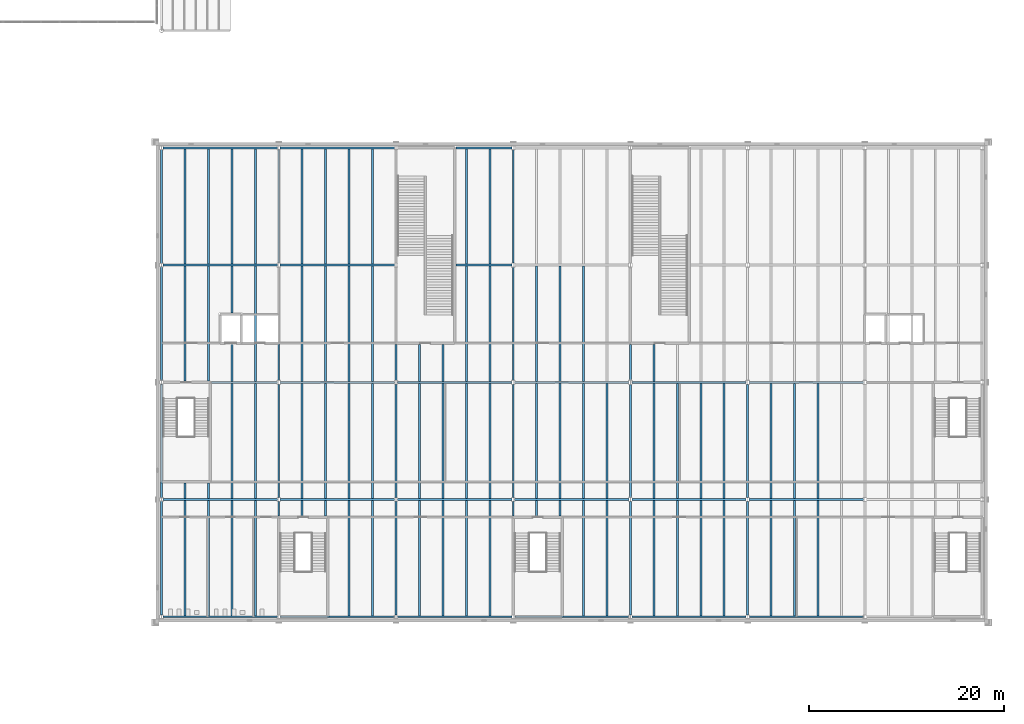
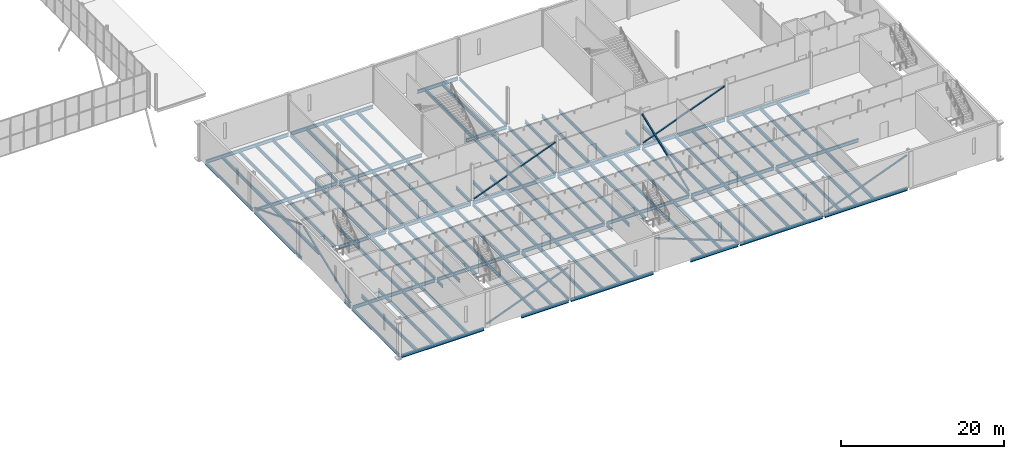
# One storey, part 49 of 170: 117 beams, 8 members.
"""IFC4 building model written with IfcOpenShell, lengths in metres."""

from ifc_helpers import new_model, si_unit, direction, frame, origin, origin_2d, place, context, subcontext, project, spatial, hollow_rectangle, i_section, extrude, material, material_profile, profile_set, type_object, element, save


model = new_model("IFC4")

# Units and contexts
model_context = context("Model", 3, precision=1e-05, world=origin(), true_north=direction((0.0, 1.0)))
body_context = subcontext(model_context, "Body", "Model", "MODEL_VIEW")
ifc_project = project(units=[si_unit("LENGTHUNIT", "METRE"), si_unit("AREAUNIT", "SQUARE_METRE"), si_unit("VOLUMEUNIT", "CUBIC_METRE"), si_unit("PLANEANGLEUNIT", "RADIAN"), si_unit("MASSUNIT", "GRAM", prefix="KILO")], contexts=[model_context])

# Site, building, storey
site_placement = place(None, origin())
site = spatial("IfcSite", under=ifc_project, at=site_placement, CompositionType="ELEMENT")
building_placement = place(site_placement, origin())
building = spatial("IfcBuilding", under=site, at=building_placement, Name="Ravi Spectrum Wholesale Market", CompositionType="ELEMENT")
storey_placement = place(building_placement, frame((0.0, 0.0, 5.39990234375)))
storey = spatial("IfcBuildingStorey", under=building, at=storey_placement, Name="L01", CompositionType="ELEMENT", Elevation=5.39990234375)

# Beams
ifc_material_1 = material(Name="Steel S355", Category="steel")
ifc_material_profile_1 = material_profile(ifc_material_1, i_section(OverallWidth=0.18994140625, OverallDepth=0.449951171875, WebThickness=0.009521484375, FlangeThickness=0.0146484375, at=origin_2d()))
ifc_profile_set_1 = profile_set([ifc_material_profile_1], Name="Steel S355")
beam_type_1 = type_object("IfcBeamType", Name="IPE 450 girder", PredefinedType="BEAM", material=ifc_profile_set_1)
beam_1_placement = place(storey_placement, frame((198.0, 18.169921875, -0.474853515625), z_axis=(0.0, 1.0, 0.0), x_axis=(-1.0, 0.0, 0.0)))
element("IfcBeam", 1, at=beam_1_placement, inside=storey, type_object=beam_type_1, Name="CS-BM-L01-036", PredefinedType="BEAM", context=body_context, shape_type="SweptSolid", body=[
    extrude(i_section(OverallWidth=0.18994140625, OverallDepth=0.449951171875, WebThickness=0.009521484375, FlangeThickness=0.0146484375, at=origin_2d()), origin(), (0.0, 0.0, 1.0), 11.66015625),
])
beam_2_placement = place(storey_placement, frame((198.0, 30.169921875, -0.474853515625), z_axis=(0.0, 1.0, 0.0), x_axis=(-1.0, 0.0, 0.0)))
element("IfcBeam", 2, at=beam_2_placement, inside=storey, type_object=beam_type_1, Name="CS-BM-L01-037", PredefinedType="BEAM", context=body_context, shape_type="SweptSolid", body=[
    extrude(i_section(OverallWidth=0.18994140625, OverallDepth=0.449951171875, WebThickness=0.009521484375, FlangeThickness=0.0146484375, at=origin_2d()), origin(), (0.0, 0.0, 1.0), 1.505126953125),
])
for number, where, z_axis, x_axis, name in (
    (3, (198.0, 42.169921875, -0.474853515625), (0.0, 1.0, 0.0), (-1.0, 0.0, 0.0), "CS-BM-L01-038"),
    (4, (198.0, 54.169921875, -0.474853515625), (0.0, 1.0, 0.0), (-1.0, 0.0, 0.0), "CS-BM-L01-039"),
):
    element("IfcBeam", number, at=place(storey_placement, frame(where, z_axis=z_axis, x_axis=x_axis)), inside=storey, type_object=beam_type_1, Name=name, PredefinedType="BEAM", context=body_context, shape_type="SweptSolid", body=[
        extrude(i_section(OverallWidth=0.18994140625, OverallDepth=0.449951171875, WebThickness=0.009521484375, FlangeThickness=0.0146484375, at=origin_2d()), origin(), (0.0, 0.0, 1.0), 11.66015625),
    ])
beam_3_placement = place(storey_placement, frame((210.0, 28.324951171875, -0.474853515625), z_axis=(0.0, 1.0, 0.0), x_axis=(-1.0, 0.0, 0.0)))
element("IfcBeam", 5, at=beam_3_placement, inside=storey, type_object=beam_type_1, Name="CS-BM-L01-040", PredefinedType="BEAM", context=body_context, shape_type="SweptSolid", body=[
    extrude(i_section(OverallWidth=0.18994140625, OverallDepth=0.449951171875, WebThickness=0.009521484375, FlangeThickness=0.0146484375, at=origin_2d()), origin(), (0.0, 0.0, 1.0), 1.47509765625),
])
for number, where, z_axis, x_axis, name in (
    (6, (210.0, 30.199951171875, -0.474853515625), (0.0, 1.0, 0.0), (-1.0, 0.0, 0.0), "CS-BM-L01-041"),
    (7, (210.0, 42.199951171875, -0.474853515625), (0.0, 1.0, 0.0), (-1.0, 0.0, 0.0), "CS-BM-L01-042"),
):
    element("IfcBeam", number, at=place(storey_placement, frame(where, z_axis=z_axis, x_axis=x_axis)), inside=storey, type_object=beam_type_1, Name=name, PredefinedType="BEAM", context=body_context, shape_type="SweptSolid", body=[
        extrude(i_section(OverallWidth=0.18994140625, OverallDepth=0.449951171875, WebThickness=0.009521484375, FlangeThickness=0.0146484375, at=origin_2d()), origin(), (0.0, 0.0, 1.0), 11.60009765625),
    ])
for number, where, z_axis, x_axis, name in (
    (8, (210.0, 54.199951171875, -0.474853515625), (0.0, 1.0, 0.0), (-1.0, 0.0, 0.0), "CS-BM-L01-044"),
    (9, (222.0, 18.169921875, -0.474853515625), (0.0, 1.0, 0.0), (-1.0, 0.0, 0.0), "CS-BM-L01-045"),
):
    element("IfcBeam", number, at=place(storey_placement, frame(where, z_axis=z_axis, x_axis=x_axis)), inside=storey, type_object=beam_type_1, Name=name, PredefinedType="BEAM", context=body_context, shape_type="SweptSolid", body=[
        extrude(i_section(OverallWidth=0.18994140625, OverallDepth=0.449951171875, WebThickness=0.009521484375, FlangeThickness=0.0146484375, at=origin_2d()), origin(), (0.0, 0.0, 1.0), 11.630126953125),
    ])
beam_4_placement = place(storey_placement, frame((222.0, 30.199951171875, -0.474853515625), z_axis=(0.0, 1.0, 0.0), x_axis=(-1.0, 0.0, 0.0)))
element("IfcBeam", 10, at=beam_4_placement, inside=storey, type_object=beam_type_1, Name="CS-BM-L01-046", PredefinedType="BEAM", context=body_context, shape_type="SweptSolid", body=[
    extrude(i_section(OverallWidth=0.18994140625, OverallDepth=0.449951171875, WebThickness=0.009521484375, FlangeThickness=0.0146484375, at=origin_2d()), origin(), (0.0, 0.0, 1.0), 11.60009765625),
])
beam_5_placement = place(storey_placement, frame((222.0, 42.199951171875, -0.474853515625), z_axis=(0.0, 1.0, 0.0), x_axis=(-1.0, 0.0, 0.0)))
element("IfcBeam", 11, at=beam_5_placement, inside=storey, type_object=beam_type_1, Name="CS-BM-L01-047", PredefinedType="BEAM", context=body_context, shape_type="SweptSolid", body=[
    extrude(i_section(OverallWidth=0.18994140625, OverallDepth=0.449951171875, WebThickness=0.009521484375, FlangeThickness=0.0146484375, at=origin_2d()), origin(), (0.0, 0.0, 1.0), 3.675048828125),
])
beam_6_placement = place(storey_placement, frame((234.0, 28.324951171875, -0.474853515625), z_axis=(0.0, 1.0, 0.0), x_axis=(-1.0, 0.0, 0.0)))
element("IfcBeam", 12, at=beam_6_placement, inside=storey, type_object=beam_type_1, Name="CS-BM-L01-048", PredefinedType="BEAM", context=body_context, shape_type="SweptSolid", body=[
    extrude(i_section(OverallWidth=0.18994140625, OverallDepth=0.449951171875, WebThickness=0.009521484375, FlangeThickness=0.0146484375, at=origin_2d()), origin(), (0.0, 0.0, 1.0), 1.47509765625),
])
for number, where, z_axis, x_axis, name in (
    (13, (234.0, 30.199951171875, -0.474853515625), (0.0, 1.0, 0.0), (-1.0, 0.0, 0.0), "CS-BM-L01-049"),
    (14, (234.0, 42.199951171875, -0.474853515625), (0.0, 1.0, 0.0), (-1.0, 0.0, 0.0), "CS-BM-L01-050"),
):
    element("IfcBeam", number, at=place(storey_placement, frame(where, z_axis=z_axis, x_axis=x_axis)), inside=storey, type_object=beam_type_1, Name=name, PredefinedType="BEAM", context=body_context, shape_type="SweptSolid", body=[
        extrude(i_section(OverallWidth=0.18994140625, OverallDepth=0.449951171875, WebThickness=0.009521484375, FlangeThickness=0.0146484375, at=origin_2d()), origin(), (0.0, 0.0, 1.0), 11.60009765625),
    ])
for number, where, z_axis, x_axis, name in (
    (15, (234.0, 54.199951171875, -0.474853515625), (0.0, 1.0, 0.0), (-1.0, 0.0, 0.0), "CS-BM-L01-051"),
    (16, (246.0, 18.169921875, -0.474853515625), (0.0, 1.0, 0.0), (-1.0, 0.0, 0.0), "CS-BM-L01-052"),
):
    element("IfcBeam", number, at=place(storey_placement, frame(where, z_axis=z_axis, x_axis=x_axis)), inside=storey, type_object=beam_type_1, Name=name, PredefinedType="BEAM", context=body_context, shape_type="SweptSolid", body=[
        extrude(i_section(OverallWidth=0.18994140625, OverallDepth=0.449951171875, WebThickness=0.009521484375, FlangeThickness=0.0146484375, at=origin_2d()), origin(), (0.0, 0.0, 1.0), 11.630126953125),
    ])
beam_7_placement = place(storey_placement, frame((246.0, 30.199951171875, -0.474853515625), z_axis=(0.0, 1.0, 0.0), x_axis=(-1.0, 0.0, 0.0)))
element("IfcBeam", 17, at=beam_7_placement, inside=storey, type_object=beam_type_1, Name="CS-BM-L01-053", PredefinedType="BEAM", context=body_context, shape_type="SweptSolid", body=[
    extrude(i_section(OverallWidth=0.18994140625, OverallDepth=0.449951171875, WebThickness=0.009521484375, FlangeThickness=0.0146484375, at=origin_2d()), origin(), (0.0, 0.0, 1.0), 11.60009765625),
])
beam_8_placement = place(storey_placement, frame((246.0, 42.199951171875, -0.474853515625), z_axis=(0.0, 1.0, 0.0), x_axis=(-1.0, 0.0, 0.0)))
element("IfcBeam", 18, at=beam_8_placement, inside=storey, type_object=beam_type_1, Name="CS-BM-L01-054", PredefinedType="BEAM", context=body_context, shape_type="SweptSolid", body=[
    extrude(i_section(OverallWidth=0.18994140625, OverallDepth=0.449951171875, WebThickness=0.009521484375, FlangeThickness=0.0146484375, at=origin_2d()), origin(), (0.0, 0.0, 1.0), 3.675048828125),
])
beam_9_placement = place(storey_placement, frame((258.0, 18.169921875, -0.474853515625), z_axis=(0.0, 1.0, 0.0), x_axis=(-1.0, 0.0, 0.0)))
element("IfcBeam", 19, at=beam_9_placement, inside=storey, type_object=beam_type_1, Name="CS-BM-L01-055", PredefinedType="BEAM", context=body_context, shape_type="SweptSolid", body=[
    extrude(i_section(OverallWidth=0.18994140625, OverallDepth=0.449951171875, WebThickness=0.009521484375, FlangeThickness=0.0146484375, at=origin_2d()), origin(), (0.0, 0.0, 1.0), 11.630126953125),
])
beam_10_placement = place(storey_placement, frame((258.0, 30.199951171875, -0.474853515625), z_axis=(0.0, 1.0, 0.0), x_axis=(-1.0, 0.0, 0.0)))
element("IfcBeam", 20, at=beam_10_placement, inside=storey, type_object=beam_type_1, Name="CS-BM-L01-056", PredefinedType="BEAM", context=body_context, shape_type="SweptSolid", body=[
    extrude(i_section(OverallWidth=0.18994140625, OverallDepth=0.449951171875, WebThickness=0.009521484375, FlangeThickness=0.0146484375, at=origin_2d()), origin(), (0.0, 0.0, 1.0), 11.60009765625),
])
ifc_material_2 = material(Name="Steel S355", Category="steel")
ifc_material_profile_2 = material_profile(ifc_material_2, i_section(OverallWidth=0.199951171875, OverallDepth=0.5, WebThickness=0.01025390625, FlangeThickness=0.01611328125, at=origin_2d()))
ifc_profile_set_2 = profile_set([ifc_material_profile_2], Name="Steel S355")
beam_type_2 = type_object("IfcBeamType", Name="IPE 500 beam", PredefinedType="BEAM", material=ifc_profile_set_2)
beam_11_placement = place(storey_placement, frame((198.14990234375, 18.0, -0.5), z_axis=(1.0, 0.0, 0.0), x_axis=(0.0, 1.0, 0.0)))
element("IfcBeam", 21, at=beam_11_placement, inside=storey, type_object=beam_type_2, Name="CS-BM-L01-001", PredefinedType="BEAM", context=body_context, shape_type="SweptSolid", body=[
    extrude(i_section(OverallWidth=0.199951171875, OverallDepth=0.5, WebThickness=0.01025390625, FlangeThickness=0.01611328125, at=origin_2d()), origin(), (0.0, 0.0, 1.0), 11.7001953125),
])
beam_12_placement = place(storey_placement, frame((215.125, 18.0, -0.5), z_axis=(1.0, 0.0, 0.0), x_axis=(0.0, 1.0, 0.0)))
element("IfcBeam", 22, at=beam_12_placement, inside=storey, type_object=beam_type_2, Name="CS-BM-L01-002", PredefinedType="BEAM", context=body_context, shape_type="SweptSolid", body=[
    extrude(i_section(OverallWidth=0.199951171875, OverallDepth=0.5, WebThickness=0.01025390625, FlangeThickness=0.01611328125, at=origin_2d()), origin(), (0.0, 0.0, 1.0), 6.72509765625),
])
beam_13_placement = place(storey_placement, frame((222.14990234375, 18.0, -0.5), z_axis=(1.0, 0.0, 0.0), x_axis=(0.0, 1.0, 0.0)))
element("IfcBeam", 23, at=beam_13_placement, inside=storey, type_object=beam_type_2, Name="CS-BM-L01-003", PredefinedType="BEAM", context=body_context, shape_type="SweptSolid", body=[
    extrude(i_section(OverallWidth=0.199951171875, OverallDepth=0.5, WebThickness=0.01025390625, FlangeThickness=0.01611328125, at=origin_2d()), origin(), (0.0, 0.0, 1.0), 11.7001953125),
])
beam_14_placement = place(storey_placement, frame((239.125, 18.0, -0.5), z_axis=(1.0, 0.0, 0.0), x_axis=(0.0, 1.0, 0.0)))
element("IfcBeam", 24, at=beam_14_placement, inside=storey, type_object=beam_type_2, Name="CS-BM-L01-004", PredefinedType="BEAM", context=body_context, shape_type="SweptSolid", body=[
    extrude(i_section(OverallWidth=0.199951171875, OverallDepth=0.5, WebThickness=0.01025390625, FlangeThickness=0.01611328125, at=origin_2d()), origin(), (0.0, 0.0, 1.0), 6.72509765625),
])
for number, where, z_axis, x_axis, name in (
    (25, (246.14990234375, 18.0, -0.5), (1.0, 0.0, 0.0), (0.0, 1.0, 0.0), "CS-BM-L01-005"),
    (26, (258.14990234375, 18.0, -0.5), (1.0, 0.0, 0.0), (0.0, 1.0, 0.0), "CS-BM-L01-006"),
    (27, (198.14990234375, 30.0, -0.5), (1.0, 0.0, 0.0), (0.0, 1.0, 0.0), "CS-BM-L01-008"),
    (28, (210.14990234375, 30.0, -0.5), (1.0, 0.0, 0.0), (0.0, 1.0, 0.0), "CS-BM-L01-009"),
    (29, (222.14990234375, 30.0, -0.5), (1.0, 0.0, 0.0), (0.0, 1.0, 0.0), "CS-BM-L01-010"),
    (30, (234.14990234375, 30.0, -0.5), (1.0, 0.0, 0.0), (0.0, 1.0, 0.0), "CS-BM-L01-011"),
    (31, (246.14990234375, 30.0, -0.5), (1.0, 0.0, 0.0), (0.0, 1.0, 0.0), "CS-BM-L01-012"),
    (32, (258.14990234375, 30.0, -0.5), (1.0, 0.0, 0.0), (0.0, 1.0, 0.0), "CS-BM-L01-013"),
):
    element("IfcBeam", number, at=place(storey_placement, frame(where, z_axis=z_axis, x_axis=x_axis)), inside=storey, type_object=beam_type_2, Name=name, PredefinedType="BEAM", context=body_context, shape_type="SweptSolid", body=[
        extrude(i_section(OverallWidth=0.199951171875, OverallDepth=0.5, WebThickness=0.01025390625, FlangeThickness=0.01611328125, at=origin_2d()), origin(), (0.0, 0.0, 1.0), 11.7001953125),
    ])
beam_15_placement = place(storey_placement, frame((203.125, 42.0, -0.5), z_axis=(1.0, 0.0, 0.0), x_axis=(0.0, 1.0, 0.0)))
element("IfcBeam", 33, at=beam_15_placement, inside=storey, type_object=beam_type_2, Name="CS-BM-L01-015", PredefinedType="BEAM", context=body_context, shape_type="SweptSolid", body=[
    extrude(i_section(OverallWidth=0.199951171875, OverallDepth=0.5, WebThickness=0.01025390625, FlangeThickness=0.01611328125, at=origin_2d()), origin(), (0.0, 0.0, 1.0), 6.72509765625),
])
for number, where, z_axis, x_axis, name in (
    (34, (210.14990234375, 42.0, -0.5), (1.0, 0.0, 0.0), (0.0, 1.0, 0.0), "CS-BM-L01-016"),
    (35, (222.14990234375, 42.0, -0.5), (1.0, 0.0, 0.0), (0.0, 1.0, 0.0), "CS-BM-L01-017"),
    (36, (234.14990234375, 42.0, -0.5), (1.0, 0.0, 0.0), (0.0, 1.0, 0.0), "CS-BM-L01-018"),
    (37, (246.14990234375, 42.0, -0.5), (1.0, 0.0, 0.0), (0.0, 1.0, 0.0), "CS-BM-L01-019"),
    (38, (258.14990234375, 42.0, -0.5), (1.0, 0.0, 0.0), (0.0, 1.0, 0.0), "CS-BM-L01-020"),
    (39, (198.14990234375, 54.0, -0.5), (1.0, 0.0, 0.0), (0.0, 1.0, 0.0), "CS-BM-L01-022"),
    (40, (210.14990234375, 54.0, -0.5), (1.0, 0.0, 0.0), (0.0, 1.0, 0.0), "CS-BM-L01-023"),
):
    element("IfcBeam", number, at=place(storey_placement, frame(where, z_axis=z_axis, x_axis=x_axis)), inside=storey, type_object=beam_type_2, Name=name, PredefinedType="BEAM", context=body_context, shape_type="SweptSolid", body=[
        extrude(i_section(OverallWidth=0.199951171875, OverallDepth=0.5, WebThickness=0.01025390625, FlangeThickness=0.01611328125, at=origin_2d()), origin(), (0.0, 0.0, 1.0), 11.7001953125),
    ])
beam_16_placement = place(storey_placement, frame((228.125, 54.0, -0.5), z_axis=(1.0, 0.0, 0.0), x_axis=(0.0, 1.0, 0.0)))
element("IfcBeam", 41, at=beam_16_placement, inside=storey, type_object=beam_type_2, Name="CS-BM-L01-024", PredefinedType="BEAM", context=body_context, shape_type="SweptSolid", body=[
    extrude(i_section(OverallWidth=0.199951171875, OverallDepth=0.5, WebThickness=0.01025390625, FlangeThickness=0.01611328125, at=origin_2d()), origin(), (0.0, 0.0, 1.0), 5.72509765625),
])
for number, where, z_axis, x_axis, name in (
    (42, (198.14990234375, 66.0, -0.5), (1.0, 0.0, 0.0), (0.0, 1.0, 0.0), "CS-BM-L01-029"),
    (43, (210.14990234375, 66.0, -0.5), (1.0, 0.0, 0.0), (0.0, 1.0, 0.0), "CS-BM-L01-030"),
):
    element("IfcBeam", number, at=place(storey_placement, frame(where, z_axis=z_axis, x_axis=x_axis)), inside=storey, type_object=beam_type_2, Name=name, PredefinedType="BEAM", context=body_context, shape_type="SweptSolid", body=[
        extrude(i_section(OverallWidth=0.199951171875, OverallDepth=0.5, WebThickness=0.01025390625, FlangeThickness=0.01611328125, at=origin_2d()), origin(), (0.0, 0.0, 1.0), 11.7001953125),
    ])
beam_17_placement = place(storey_placement, frame((228.125, 66.0, -0.5), z_axis=(1.0, 0.0, 0.0), x_axis=(0.0, 1.0, 0.0)))
element("IfcBeam", 44, at=beam_17_placement, inside=storey, type_object=beam_type_2, Name="CS-BM-L01-031", PredefinedType="BEAM", context=body_context, shape_type="SweptSolid", body=[
    extrude(i_section(OverallWidth=0.199951171875, OverallDepth=0.5, WebThickness=0.01025390625, FlangeThickness=0.01611328125, at=origin_2d()), origin(), (0.0, 0.0, 1.0), 5.72509765625),
])
for number, where, z_axis, x_axis, name in (
    (45, (200.39990234375, 18.10009765625, -0.5), (0.0, 1.0, 0.0), (-1.0, 0.0, 0.0), "CS-BM-L01-068"),
    (46, (202.800048828125, 18.10009765625, -0.5), (0.0, 1.0, 0.0), (-1.0, 0.0, 0.0), "CS-BM-L01-069"),
    (47, (205.199951171875, 18.10009765625, -0.5), (0.0, 1.0, 0.0), (-1.0, 0.0, 0.0), "CS-BM-L01-070"),
    (48, (207.60009765625, 18.10009765625, -0.5), (0.0, 1.0, 0.0), (-1.0, 0.0, 0.0), "CS-BM-L01-071"),
):
    element("IfcBeam", number, at=place(storey_placement, frame(where, z_axis=z_axis, x_axis=x_axis)), inside=storey, type_object=beam_type_2, Name=name, PredefinedType="BEAM", context=body_context, shape_type="SweptSolid", body=[
        extrude(i_section(OverallWidth=0.199951171875, OverallDepth=0.5, WebThickness=0.01025390625, FlangeThickness=0.01611328125, at=origin_2d()), origin(), (0.0, 0.0, 1.0), 11.7998046875),
    ])
for number, where, z_axis, x_axis, name in (
    (49, (200.39990234375, 30.10009765625, -0.5), (0.0, 1.0, 0.0), (-1.0, 0.0, 0.0), "CS-BM-L01-072"),
    (50, (202.800048828125, 30.10009765625, -0.5), (0.0, 1.0, 0.0), (-1.0, 0.0, 0.0), "CS-BM-L01-073"),
):
    element("IfcBeam", number, at=place(storey_placement, frame(where, z_axis=z_axis, x_axis=x_axis)), inside=storey, type_object=beam_type_2, Name=name, PredefinedType="BEAM", context=body_context, shape_type="SweptSolid", body=[
        extrude(i_section(OverallWidth=0.199951171875, OverallDepth=0.5, WebThickness=0.01025390625, FlangeThickness=0.01611328125, at=origin_2d()), origin(), (0.0, 0.0, 1.0), 1.574951171875),
    ])
for number, where, z_axis, x_axis, name in (
    (51, (205.199951171875, 30.10009765625, -0.5), (0.0, 1.0, 0.0), (-1.0, 0.0, 0.0), "CS-BM-L01-074"),
    (52, (207.60009765625, 30.10009765625, -0.5), (0.0, 1.0, 0.0), (-1.0, 0.0, 0.0), "CS-BM-L01-075"),
):
    element("IfcBeam", number, at=place(storey_placement, frame(where, z_axis=z_axis, x_axis=x_axis)), inside=storey, type_object=beam_type_2, Name=name, PredefinedType="BEAM", context=body_context, shape_type="SweptSolid", body=[
        extrude(i_section(OverallWidth=0.199951171875, OverallDepth=0.5, WebThickness=0.01025390625, FlangeThickness=0.01611328125, at=origin_2d()), origin(), (0.0, 0.0, 1.0), 11.7998046875),
    ])
for number, where, z_axis, x_axis, name in (
    (53, (200.39990234375, 42.125, -0.5), (0.0, 1.0, 0.0), (-1.0, 0.0, 0.0), "CS-BM-L01-076"),
    (54, (202.800048828125, 42.125, -0.5), (0.0, 1.0, 0.0), (-1.0, 0.0, 0.0), "CS-BM-L01-077"),
):
    element("IfcBeam", number, at=place(storey_placement, frame(where, z_axis=z_axis, x_axis=x_axis)), inside=storey, type_object=beam_type_2, Name=name, PredefinedType="BEAM", context=body_context, shape_type="SweptSolid", body=[
        extrude(i_section(OverallWidth=0.199951171875, OverallDepth=0.5, WebThickness=0.01025390625, FlangeThickness=0.01611328125, at=origin_2d()), origin(), (0.0, 0.0, 1.0), 11.77490234375),
    ])
beam_18_placement = place(storey_placement, frame((205.199951171875, 42.10009765625, -0.5), z_axis=(0.0, 1.0, 0.0), x_axis=(-1.0, 0.0, 0.0)))
element("IfcBeam", 55, at=beam_18_placement, inside=storey, type_object=beam_type_2, Name="CS-BM-L01-078", PredefinedType="BEAM", context=body_context, shape_type="SweptSolid", body=[
    extrude(i_section(OverallWidth=0.199951171875, OverallDepth=0.5, WebThickness=0.01025390625, FlangeThickness=0.01611328125, at=origin_2d()), origin(), (0.0, 0.0, 1.0), 3.77490234375),
])
beam_19_placement = place(storey_placement, frame((205.199951171875, 49.074951171875, -0.5), z_axis=(0.0, 1.0, 0.0), x_axis=(-1.0, 0.0, 0.0)))
element("IfcBeam", 56, at=beam_19_placement, inside=storey, type_object=beam_type_2, Name="CS-BM-L01-079", PredefinedType="BEAM", context=body_context, shape_type="SweptSolid", body=[
    extrude(i_section(OverallWidth=0.199951171875, OverallDepth=0.5, WebThickness=0.01025390625, FlangeThickness=0.01611328125, at=origin_2d()), origin(), (0.0, 0.0, 1.0), 4.824951171875),
])
for number, where, z_axis, x_axis, name in (
    (57, (207.60009765625, 42.10009765625, -0.5), (0.0, 1.0, 0.0), (-1.0, 0.0, 0.0), "CS-BM-L01-080"),
    (58, (200.39990234375, 54.10009765625, -0.5), (0.0, 1.0, 0.0), (-1.0, 0.0, 0.0), "CS-BM-L01-082"),
    (59, (202.800048828125, 54.10009765625, -0.5), (0.0, 1.0, 0.0), (-1.0, 0.0, 0.0), "CS-BM-L01-083"),
    (60, (205.199951171875, 54.10009765625, -0.5), (0.0, 1.0, 0.0), (-1.0, 0.0, 0.0), "CS-BM-L01-084"),
    (61, (207.60009765625, 54.10009765625, -0.5), (0.0, 1.0, 0.0), (-1.0, 0.0, 0.0), "CS-BM-L01-085"),
):
    element("IfcBeam", number, at=place(storey_placement, frame(where, z_axis=z_axis, x_axis=x_axis)), inside=storey, type_object=beam_type_2, Name=name, PredefinedType="BEAM", context=body_context, shape_type="SweptSolid", body=[
        extrude(i_section(OverallWidth=0.199951171875, OverallDepth=0.5, WebThickness=0.01025390625, FlangeThickness=0.01611328125, at=origin_2d()), origin(), (0.0, 0.0, 1.0), 11.7998046875),
    ])
for number, where, z_axis, x_axis, name in (
    (62, (212.39990234375, 28.324951171875, -0.5), (0.0, 1.0, 0.0), (-1.0, 0.0, 0.0), "CS-BM-L01-086"),
    (63, (214.800048828125, 28.324951171875, -0.5), (0.0, 1.0, 0.0), (-1.0, 0.0, 0.0), "CS-BM-L01-087"),
):
    element("IfcBeam", number, at=place(storey_placement, frame(where, z_axis=z_axis, x_axis=x_axis)), inside=storey, type_object=beam_type_2, Name=name, PredefinedType="BEAM", context=body_context, shape_type="SweptSolid", body=[
        extrude(i_section(OverallWidth=0.199951171875, OverallDepth=0.5, WebThickness=0.01025390625, FlangeThickness=0.01611328125, at=origin_2d()), origin(), (0.0, 0.0, 1.0), 1.574951171875),
    ])
for number, where, z_axis, x_axis, name in (
    (64, (217.199951171875, 18.10009765625, -0.5), (0.0, 1.0, 0.0), (-1.0, 0.0, 0.0), "CS-BM-L01-088"),
    (65, (219.60009765625, 18.10009765625, -0.5), (0.0, 1.0, 0.0), (-1.0, 0.0, 0.0), "CS-BM-L01-089"),
    (66, (212.39990234375, 30.10009765625, -0.5), (0.0, 1.0, 0.0), (-1.0, 0.0, 0.0), "CS-BM-L01-090"),
    (67, (214.800048828125, 30.10009765625, -0.5), (0.0, 1.0, 0.0), (-1.0, 0.0, 0.0), "CS-BM-L01-091"),
    (68, (217.199951171875, 30.10009765625, -0.5), (0.0, 1.0, 0.0), (-1.0, 0.0, 0.0), "CS-BM-L01-092"),
    (69, (219.60009765625, 30.10009765625, -0.5), (0.0, 1.0, 0.0), (-1.0, 0.0, 0.0), "CS-BM-L01-093"),
    (70, (212.39990234375, 42.10009765625, -0.5), (0.0, 1.0, 0.0), (-1.0, 0.0, 0.0), "CS-BM-L01-094"),
    (71, (214.800048828125, 42.10009765625, -0.5), (0.0, 1.0, 0.0), (-1.0, 0.0, 0.0), "CS-BM-L01-095"),
    (72, (217.199951171875, 42.10009765625, -0.5), (0.0, 1.0, 0.0), (-1.0, 0.0, 0.0), "CS-BM-L01-096"),
    (73, (219.60009765625, 42.10009765625, -0.5), (0.0, 1.0, 0.0), (-1.0, 0.0, 0.0), "CS-BM-L01-097"),
    (74, (212.39990234375, 54.10009765625, -0.5), (0.0, 1.0, 0.0), (-1.0, 0.0, 0.0), "CS-BM-L01-098"),
    (75, (214.800048828125, 54.10009765625, -0.5), (0.0, 1.0, 0.0), (-1.0, 0.0, 0.0), "CS-BM-L01-099"),
    (76, (217.199951171875, 54.10009765625, -0.5), (0.0, 1.0, 0.0), (-1.0, 0.0, 0.0), "CS-BM-L01-100"),
    (77, (219.60009765625, 54.10009765625, -0.5), (0.0, 1.0, 0.0), (-1.0, 0.0, 0.0), "CS-BM-L01-101"),
    (78, (224.39990234375, 18.10009765625, -0.5), (0.0, 1.0, 0.0), (-1.0, 0.0, 0.0), "CS-BM-L01-102"),
    (79, (226.800048828125, 18.10009765625, -0.5), (0.0, 1.0, 0.0), (-1.0, 0.0, 0.0), "CS-BM-L01-103"),
    (80, (229.199951171875, 18.10009765625, -0.5), (0.0, 1.0, 0.0), (-1.0, 0.0, 0.0), "CS-BM-L01-104"),
    (81, (231.60009765625, 18.10009765625, -0.5), (0.0, 1.0, 0.0), (-1.0, 0.0, 0.0), "CS-BM-L01-105"),
    (82, (224.39990234375, 30.10009765625, -0.5), (0.0, 1.0, 0.0), (-1.0, 0.0, 0.0), "CS-BM-L01-106"),
    (83, (226.800048828125, 30.10009765625, -0.5), (0.0, 1.0, 0.0), (-1.0, 0.0, 0.0), "CS-BM-L01-107"),
    (84, (229.199951171875, 30.10009765625, -0.5), (0.0, 1.0, 0.0), (-1.0, 0.0, 0.0), "CS-BM-L01-108"),
    (85, (231.60009765625, 30.10009765625, -0.5), (0.0, 1.0, 0.0), (-1.0, 0.0, 0.0), "CS-BM-L01-109"),
):
    element("IfcBeam", number, at=place(storey_placement, frame(where, z_axis=z_axis, x_axis=x_axis)), inside=storey, type_object=beam_type_2, Name=name, PredefinedType="BEAM", context=body_context, shape_type="SweptSolid", body=[
        extrude(i_section(OverallWidth=0.199951171875, OverallDepth=0.5, WebThickness=0.01025390625, FlangeThickness=0.01611328125, at=origin_2d()), origin(), (0.0, 0.0, 1.0), 11.7998046875),
    ])
for number, where, z_axis, x_axis, name in (
    (86, (224.39990234375, 42.10009765625, -0.5), (0.0, 1.0, 0.0), (-1.0, 0.0, 0.0), "CS-BM-L01-110"),
    (87, (226.800048828125, 42.10009765625, -0.5), (0.0, 1.0, 0.0), (-1.0, 0.0, 0.0), "CS-BM-L01-111"),
):
    element("IfcBeam", number, at=place(storey_placement, frame(where, z_axis=z_axis, x_axis=x_axis)), inside=storey, type_object=beam_type_2, Name=name, PredefinedType="BEAM", context=body_context, shape_type="SweptSolid", body=[
        extrude(i_section(OverallWidth=0.199951171875, OverallDepth=0.5, WebThickness=0.01025390625, FlangeThickness=0.01611328125, at=origin_2d()), origin(), (0.0, 0.0, 1.0), 3.77490234375),
    ])
for number, where, z_axis, x_axis, name in (
    (88, (229.199951171875, 42.10009765625, -0.5), (0.0, 1.0, 0.0), (-1.0, 0.0, 0.0), "CS-BM-L01-112"),
    (89, (231.60009765625, 42.10009765625, -0.5), (0.0, 1.0, 0.0), (-1.0, 0.0, 0.0), "CS-BM-L01-113"),
    (90, (229.199951171875, 54.10009765625, -0.5), (0.0, 1.0, 0.0), (-1.0, 0.0, 0.0), "CS-BM-L01-114"),
    (91, (231.60009765625, 54.10009765625, -0.5), (0.0, 1.0, 0.0), (-1.0, 0.0, 0.0), "CS-BM-L01-115"),
):
    element("IfcBeam", number, at=place(storey_placement, frame(where, z_axis=z_axis, x_axis=x_axis)), inside=storey, type_object=beam_type_2, Name=name, PredefinedType="BEAM", context=body_context, shape_type="SweptSolid", body=[
        extrude(i_section(OverallWidth=0.199951171875, OverallDepth=0.5, WebThickness=0.01025390625, FlangeThickness=0.01611328125, at=origin_2d()), origin(), (0.0, 0.0, 1.0), 11.7998046875),
    ])
for number, where, z_axis, x_axis, name in (
    (92, (236.39990234375, 28.324951171875, -0.5), (0.0, 1.0, 0.0), (-1.0, 0.0, 0.0), "CS-BM-L01-116"),
    (93, (238.800048828125, 28.324951171875, -0.5), (0.0, 1.0, 0.0), (-1.0, 0.0, 0.0), "CS-BM-L01-117"),
):
    element("IfcBeam", number, at=place(storey_placement, frame(where, z_axis=z_axis, x_axis=x_axis)), inside=storey, type_object=beam_type_2, Name=name, PredefinedType="BEAM", context=body_context, shape_type="SweptSolid", body=[
        extrude(i_section(OverallWidth=0.199951171875, OverallDepth=0.5, WebThickness=0.01025390625, FlangeThickness=0.01611328125, at=origin_2d()), origin(), (0.0, 0.0, 1.0), 1.574951171875),
    ])
for number, where, z_axis, x_axis, name in (
    (94, (241.199951171875, 18.10009765625, -0.5), (0.0, 1.0, 0.0), (-1.0, 0.0, 0.0), "CS-BM-L01-118"),
    (95, (243.60009765625, 18.10009765625, -0.5), (0.0, 1.0, 0.0), (-1.0, 0.0, 0.0), "CS-BM-L01-119"),
    (96, (236.39990234375, 30.10009765625, -0.5), (0.0, 1.0, 0.0), (-1.0, 0.0, 0.0), "CS-BM-L01-120"),
    (97, (238.800048828125, 30.10009765625, -0.5), (0.0, 1.0, 0.0), (-1.0, 0.0, 0.0), "CS-BM-L01-121"),
    (98, (241.199951171875, 30.10009765625, -0.5), (0.0, 1.0, 0.0), (-1.0, 0.0, 0.0), "CS-BM-L01-122"),
    (99, (243.60009765625, 30.10009765625, -0.5), (0.0, 1.0, 0.0), (-1.0, 0.0, 0.0), "CS-BM-L01-123"),
    (100, (236.39990234375, 42.10009765625, -0.5), (0.0, 1.0, 0.0), (-1.0, 0.0, 0.0), "CS-BM-L01-124"),
    (101, (238.800048828125, 42.10009765625, -0.5), (0.0, 1.0, 0.0), (-1.0, 0.0, 0.0), "CS-BM-L01-125"),
    (102, (241.199951171875, 42.10009765625, -0.5), (0.0, 1.0, 0.0), (-1.0, 0.0, 0.0), "CS-BM-L01-126"),
    (103, (248.39990234375, 18.10009765625, -0.5), (0.0, 1.0, 0.0), (-1.0, 0.0, 0.0), "CS-BM-L01-132"),
    (104, (250.800048828125, 18.10009765625, -0.5), (0.0, 1.0, 0.0), (-1.0, 0.0, 0.0), "CS-BM-L01-133"),
    (105, (253.199951171875, 18.10009765625, -0.5), (0.0, 1.0, 0.0), (-1.0, 0.0, 0.0), "CS-BM-L01-134"),
    (106, (255.60009765625, 18.10009765625, -0.5), (0.0, 1.0, 0.0), (-1.0, 0.0, 0.0), "CS-BM-L01-135"),
    (107, (248.39990234375, 30.10009765625, -0.5), (0.0, 1.0, 0.0), (-1.0, 0.0, 0.0), "CS-BM-L01-136"),
    (108, (250.800048828125, 30.10009765625, -0.5), (0.0, 1.0, 0.0), (-1.0, 0.0, 0.0), "CS-BM-L01-137"),
    (109, (253.199951171875, 30.10009765625, -0.5), (0.0, 1.0, 0.0), (-1.0, 0.0, 0.0), "CS-BM-L01-138"),
    (110, (255.60009765625, 30.10009765625, -0.5), (0.0, 1.0, 0.0), (-1.0, 0.0, 0.0), "CS-BM-L01-139"),
):
    element("IfcBeam", number, at=place(storey_placement, frame(where, z_axis=z_axis, x_axis=x_axis)), inside=storey, type_object=beam_type_2, Name=name, PredefinedType="BEAM", context=body_context, shape_type="SweptSolid", body=[
        extrude(i_section(OverallWidth=0.199951171875, OverallDepth=0.5, WebThickness=0.01025390625, FlangeThickness=0.01611328125, at=origin_2d()), origin(), (0.0, 0.0, 1.0), 11.7998046875),
    ])
beam_20_placement = place(storey_placement, frame((248.39990234375, 42.10009765625, -0.5), z_axis=(0.0, 1.0, 0.0), x_axis=(-1.0, 0.0, 0.0)))
element("IfcBeam", 111, at=beam_20_placement, inside=storey, type_object=beam_type_2, Name="CS-BM-L01-140", PredefinedType="BEAM", context=body_context, shape_type="SweptSolid", body=[
    extrude(i_section(OverallWidth=0.199951171875, OverallDepth=0.5, WebThickness=0.01025390625, FlangeThickness=0.01611328125, at=origin_2d()), origin(), (0.0, 0.0, 1.0), 3.77490234375),
])
for number, where, z_axis, x_axis, name in (
    (112, (260.39990234375, 18.10009765625, -0.5), (0.0, 1.0, 0.0), (-1.0, 0.0, 0.0), "CS-BM-L01-146"),
    (113, (262.800048828125, 18.10009765625, -0.5), (0.0, 1.0, 0.0), (-1.0, 0.0, 0.0), "CS-BM-L01-147"),
    (114, (265.199951171875, 18.10009765625, -0.5), (0.0, 1.0, 0.0), (-1.0, 0.0, 0.0), "CS-BM-L01-148"),
    (115, (260.39990234375, 30.10009765625, -0.5), (0.0, 1.0, 0.0), (-1.0, 0.0, 0.0), "CS-BM-L01-150"),
    (116, (262.800048828125, 30.10009765625, -0.5), (0.0, 1.0, 0.0), (-1.0, 0.0, 0.0), "CS-BM-L01-151"),
    (117, (265.199951171875, 30.10009765625, -0.5), (0.0, 1.0, 0.0), (-1.0, 0.0, 0.0), "CS-BM-L01-152"),
):
    element("IfcBeam", number, at=place(storey_placement, frame(where, z_axis=z_axis, x_axis=x_axis)), inside=storey, type_object=beam_type_2, Name=name, PredefinedType="BEAM", context=body_context, shape_type="SweptSolid", body=[
        extrude(i_section(OverallWidth=0.199951171875, OverallDepth=0.5, WebThickness=0.01025390625, FlangeThickness=0.01611328125, at=origin_2d()), origin(), (0.0, 0.0, 1.0), 11.7998046875),
    ])

# Members
ifc_material_3 = material(Name="Steel S355", Category="steel")
ifc_material_profile_3 = material_profile(ifc_material_3, hollow_rectangle(XDim=0.199951171875, YDim=0.199951171875, WallThickness=0.008056640625, InnerFilletRadius=0.008056640625, OuterFilletRadius=0.01611328125, at=origin_2d()))
ifc_profile_set_3 = profile_set([ifc_material_profile_3], Name="Steel S355")
member_type = type_object("IfcMemberType", Name="SHS 200x200x8 brace", PredefinedType="BRACE", material=ifc_profile_set_3)
for number, where, z_axis, x_axis, name in (
    (118, (210.185791015625, 18.0, 0.093505859375), (0.933596452802, 0.0, 0.358326196802), (0.0, 1.0, 0.0), "CS-MB-L01-001"),
    (119, (234.185791015625, 18.0, 4.556640625), (0.933596452802, 0.0, -0.358326196802), (0.0, 1.0, 0.0), "CS-MB-L01-002"),
    (120, (258.185791015625, 18.0, 0.093505859375), (0.933596452802, 0.0, 0.358326196802), (0.0, 1.0, 0.0), "CS-MB-L01-003"),
    (121, (222.185791015625, 42.0, 0.093505859375), (0.933596452802, 0.0, 0.358326196802), (0.0, 1.0, 0.0), "CS-MB-L01-004"),
    (122, (246.185791015625, 42.0, 0.093505859375), (0.933596452802, 0.0, 0.358326196802), (0.0, 1.0, 0.0), "CS-MB-L01-006"),
):
    element("IfcMember", number, at=place(storey_placement, frame(where, z_axis=z_axis, x_axis=x_axis)), inside=storey, type_object=member_type, Name=name, PredefinedType="BRACE", context=body_context, shape_type="SweptSolid", body=[
        extrude(hollow_rectangle(XDim=0.199951171875, YDim=0.199951171875, WallThickness=0.008056640625, InnerFilletRadius=0.008056640625, OuterFilletRadius=0.01611328125, at=origin_2d()), origin(), (0.0, 0.0, 1.0), 12.45556640625),
    ])
for number, where, z_axis, x_axis, name in (
    (123, (198.0, 30.206298828125, 0.09326171875), (0.0, 0.931801883882, 0.362967283916), (-1.0, 0.0, 0.0), "CS-MB-L01-007"),
    (124, (198.0, 42.206298828125, 4.60693359375), (0.0, 0.931801883882, -0.362967283916), (-1.0, 0.0, 0.0), "CS-MB-L01-008"),
):
    element("IfcMember", number, at=place(storey_placement, frame(where, z_axis=z_axis, x_axis=x_axis)), inside=storey, type_object=member_type, Name=name, PredefinedType="BRACE", context=body_context, shape_type="SweptSolid", body=[
        extrude(hollow_rectangle(XDim=0.199951171875, YDim=0.199951171875, WallThickness=0.008056640625, InnerFilletRadius=0.008056640625, OuterFilletRadius=0.01611328125, at=origin_2d()), origin(), (0.0, 0.0, 1.0), 12.435546875),
    ])
member_placement = place(storey_placement, frame((246.0, 30.236572265625, 0.09326171875), z_axis=(0.0, 0.93115604106, 0.364620936314), x_axis=(-1.0, 0.0, 0.0)))
element("IfcMember", 125, at=member_placement, inside=storey, type_object=member_type, Name="CS-MB-L01-009", PredefinedType="BRACE", context=body_context, shape_type="SweptSolid", body=[
    extrude(hollow_rectangle(XDim=0.199951171875, YDim=0.199951171875, WallThickness=0.008056640625, InnerFilletRadius=0.008056640625, OuterFilletRadius=0.01611328125, at=origin_2d()), origin(), (0.0, 0.0, 1.0), 12.379150390625),
])

save(model, "model.ifc")
